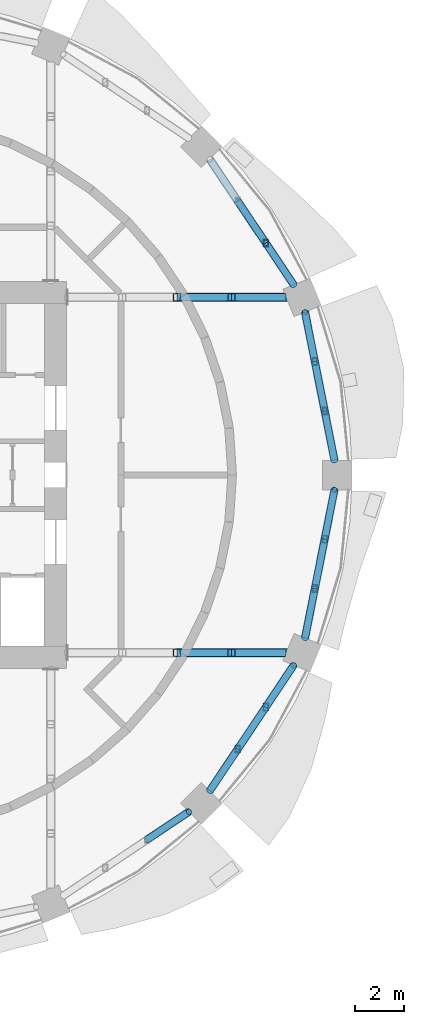
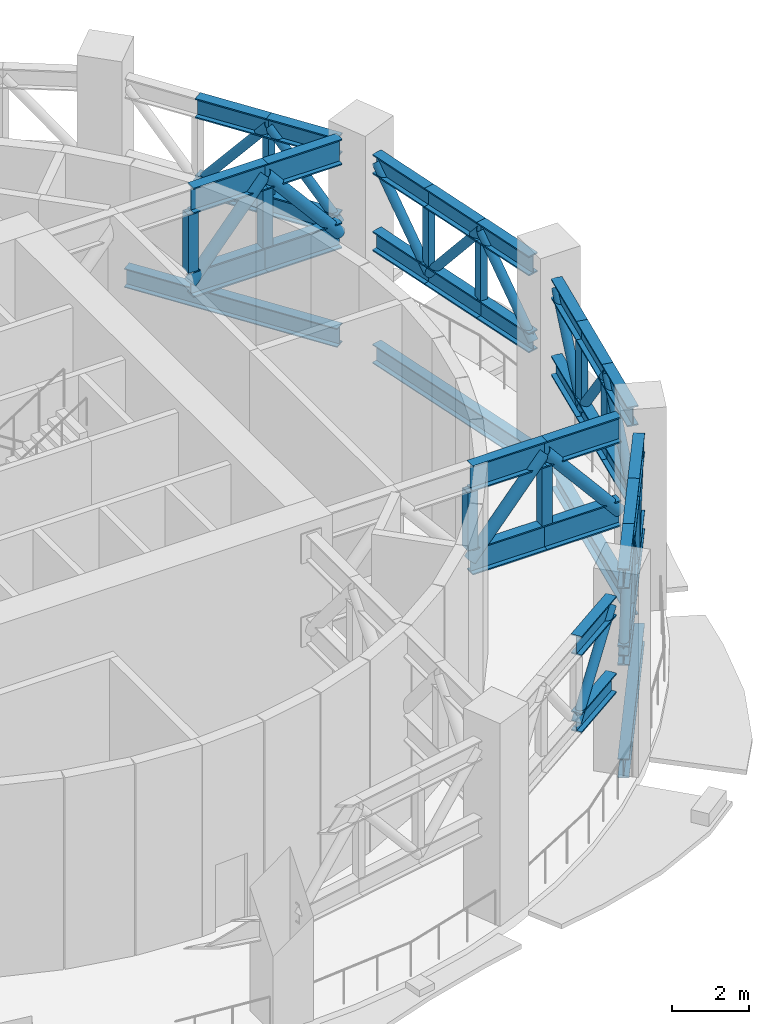
# One storey, part 4 of 14: 59 members, 4 beams.
"""IFC4 building model written with IfcOpenShell, lengths in metres."""

import ifcopenshell
import ifcopenshell.guid

model = None  # the IFC model being written
_history = None  # IfcOwnerHistory: only IFC2X3 demands one
_inside = {}  # id of a spatial element -> (the spatial element, [elements in it])
_under = {}  # id of a project, library or spatial element -> (it, [spatial elements below it])
_declared = {}  # id of a project -> (the project, [libraries it declares])
_typed = {}  # id of a type object -> (the type object, [elements of that type])
_made_of = {}  # id of a material, layer set ... -> (it, [elements and type objects made of it])


def new_model(schema):
    """Start an empty IFC model of exactly this schema.

    Asked for "IFC4X3", IfcOpenShell would pick the latest addendum, in which some entities
    have other attributes; the version numbers below select the first issue.
    IFC2X3 requires an IfcOwnerHistory on every rooted entity: one is made here for all.
    """
    global model, _history
    if schema == "IFC4X3":
        model = ifcopenshell.file(schema_version=(4, 3, 0, 0))
    else:
        model = ifcopenshell.file(schema=schema)
    _inside.clear()
    _under.clear()
    _declared.clear()
    _typed.clear()
    _made_of.clear()
    _history = None
    if model.schema == "IFC2X3":
        org = make("IfcOrganization", Name="unknown")
        user = make(
            "IfcPersonAndOrganization",
            ThePerson=make("IfcPerson", FamilyName="unknown"),
            TheOrganization=org,
        )
        app = make(
            "IfcApplication",
            ApplicationDeveloper=org,
            Version="unknown",
            ApplicationFullName="unknown",
            ApplicationIdentifier="unknown",
        )
        _history = make(
            "IfcOwnerHistory",
            OwningUser=user,
            OwningApplication=app,
            ChangeAction="ADDED",
            CreationDate=0,
        )
    return model


def make(cls, **values):
    """One entity of the class cls with the attributes given. An attribute that is None is left unset."""
    return model.create_entity(
        cls, **{name: value for name, value in values.items() if value is not None}
    )


def rooted(cls, **values):
    """An entity with a GlobalId (a new one), such as an element, a storey or a relation."""
    return make(cls, GlobalId=ifcopenshell.guid.new(), OwnerHistory=_history, **values)


def si_unit(unit_type, name, prefix=None):
    """IfcSIUnit, for example si_unit("LENGTHUNIT", "METRE", prefix="MILLI")."""
    return make("IfcSIUnit", UnitType=unit_type, Prefix=prefix, Name=name)


def assignment(units):
    """IfcUnitAssignment: the units of a project."""
    return None if units is None else make("IfcUnitAssignment", Units=units)


def point(xyz):
    """IfcCartesianPoint."""
    return None if xyz is None else make("IfcCartesianPoint", Coordinates=xyz)


def direction(xyz):
    """IfcDirection."""
    return None if xyz is None else make("IfcDirection", DirectionRatios=xyz)


def frame(location, z_axis=None, x_axis=None):
    """IfcAxis2Placement3D, a coordinate frame: its origin and axes. An axis left out is left unset."""
    return make(
        "IfcAxis2Placement3D",
        Location=point(location),
        Axis=direction(z_axis),
        RefDirection=direction(x_axis),
    )


def frame_2d(location, x_axis=None):
    """IfcAxis2Placement2D, a coordinate frame in the plane: its origin and x axis."""
    return make(
        "IfcAxis2Placement2D", Location=point(location), RefDirection=direction(x_axis)
    )


def origin():
    """The frame at (0, 0, 0) with its axes left unset."""
    return frame((0.0, 0.0, 0.0))


def origin_2d():
    """The frame at (0, 0) in the plane with its x axis left unset."""
    return frame_2d((0.0, 0.0))


def place(relative_to, where):
    """IfcLocalPlacement: puts the frame where relative to a parent placement (None: the world)."""
    return make(
        "IfcLocalPlacement", PlacementRelTo=relative_to, RelativePlacement=where
    )


def context(
    kind, dimensions, precision=None, world=None, true_north=None, identifier=None
):
    """IfcGeometricRepresentationContext, for example the 3D "Model" context."""
    return make(
        "IfcGeometricRepresentationContext",
        ContextIdentifier=identifier,
        ContextType=kind,
        CoordinateSpaceDimension=dimensions,
        Precision=precision,
        WorldCoordinateSystem=world,
        TrueNorth=true_north,
    )


def subcontext(parent, identifier, kind, view, scale=None):
    """IfcGeometricRepresentationSubContext, for example "Body" below "Model"."""
    return make(
        "IfcGeometricRepresentationSubContext",
        ContextIdentifier=identifier,
        ContextType=kind,
        ParentContext=parent,
        TargetScale=scale,
        TargetView=view,
    )


def project(units=None, contexts=None):
    """IfcProject with its units and contexts."""
    return rooted(
        "IfcProject",
        Name="project",
        RepresentationContexts=contexts,
        UnitsInContext=assignment(units),
    )


def spatial(cls, under=None, at=None, **own):
    """A site, building, storey or space (cls), placed at a placement, below another one or the project."""
    s = rooted(cls, ObjectPlacement=at, **own)
    if under is not None:
        _under.setdefault(under.id(), (under, []))[1].append(s)
    return s


def profile(cls, at=None, kind="AREA", **sizes):
    """A parametric profile (cls). Its sizes go by their IFC names, for example OverallWidth=200.0."""
    return make(cls, ProfileType=kind, Position=at, **sizes)


def hollow_rectangle(**sizes):
    """IfcRectangleHollowProfileDef."""
    return profile("IfcRectangleHollowProfileDef", **sizes)


def hollow_circle(**sizes):
    """IfcCircleHollowProfileDef."""
    return profile("IfcCircleHollowProfileDef", **sizes)


def i_section(**sizes):
    """IfcIShapeProfileDef."""
    return profile("IfcIShapeProfileDef", **sizes)


def extrude(swept, where, along, depth):
    """IfcExtrudedAreaSolid: the profile swept, set in the frame where, extruded along a direction by depth."""
    return make(
        "IfcExtrudedAreaSolid",
        SweptArea=swept,
        Position=where,
        ExtrudedDirection=direction(along),
        Depth=depth,
    )


def shape(context_of_items, identifier, shape_type, items):
    """IfcShapeRepresentation: the items that make up one representation, for example the "Body"."""
    return make(
        "IfcShapeRepresentation",
        ContextOfItems=context_of_items,
        RepresentationIdentifier=identifier,
        RepresentationType=shape_type,
        Items=items,
    )


def material(Name=None, Category=None):
    """IfcMaterial."""
    return make("IfcMaterial", Name=Name, Category=Category)


def material_profile(
    of_material, cross_section, Name=None, Category=None, Priority=None
):
    """IfcMaterialProfile: a cross section and its material."""
    return make(
        "IfcMaterialProfile",
        Name=Name,
        Material=of_material,
        Profile=cross_section,
        Priority=Priority,
        Category=Category,
    )


def profile_set(profiles, Name=None, composite=None):
    """IfcMaterialProfileSet."""
    return make(
        "IfcMaterialProfileSet",
        Name=Name,
        MaterialProfiles=profiles,
        CompositeProfile=composite,
    )


def made_of(thing, what):
    """Note that an element or type object is made of a material, layer set ...; save() writes the relation."""
    if what is not None:
        _made_of.setdefault(what.id(), (what, []))[1].append(thing)
    return thing


def type_object(cls, material=None, **own):
    """A type object (cls), such as IfcWallType, which elements share."""
    return made_of(rooted(cls, **own), material)


def element(
    cls,
    number,
    at=None,
    inside=None,
    cuts=None,
    type_object=None,
    material=None,
    context=None,
    identifier="Body",
    shape_type=None,
    held_by="IfcProductDefinitionShape",
    body=None,
    shapes=None,
    **own,
):
    """One element of the class cls, such as IfcWall. Its Tag is "e" and its number.

    at: its placement. inside: the storey or other place that contains it. cuts: it is an
    opening in that element (IfcRelVoidsElement). A single representation is given by context,
    identifier, shape_type and body (its items); several are given by shapes. held_by: the class
    of the entity that holds the representations. save() writes the other relations.
    """
    e = rooted(cls, Tag="e%d" % number, ObjectPlacement=at, **own)
    if body is not None:
        shapes = [shape(context, identifier, shape_type, body)]
    if shapes is not None:
        e.Representation = make(held_by, Representations=shapes)
    if inside is not None:
        _inside.setdefault(inside.id(), (inside, []))[1].append(e)
    if cuts is not None:
        rooted(
            "IfcRelVoidsElement", RelatingBuildingElement=cuts, RelatedOpeningElement=e
        )
    if type_object is not None:
        _typed.setdefault(type_object.id(), (type_object, []))[1].append(e)
    return made_of(e, material)


def aggregate(whole, parts):
    """IfcRelAggregates: a whole, such as a stair, and the parts it consists of."""
    return rooted("IfcRelAggregates", RelatingObject=whole, RelatedObjects=parts)


def save(model, path):
    """Write the relations noted so far, then the file.

    IfcRelAggregates (storeys below a building ...), IfcRelContainedInSpatialStructure (elements
    in a storey), IfcRelDefinesByType, IfcRelAssociatesMaterial and IfcRelDeclares: one each for
    every whole, place, type object, material and project.
    """
    for whole, parts in _under.values():
        aggregate(whole, parts)
    for where, things in _inside.values():
        rooted(
            "IfcRelContainedInSpatialStructure",
            RelatedElements=things,
            RelatingStructure=where,
        )
    for kind, things in _typed.values():
        rooted("IfcRelDefinesByType", RelatedObjects=things, RelatingType=kind)
    for what, things in _made_of.values():
        rooted("IfcRelAssociatesMaterial", RelatedObjects=things, RelatingMaterial=what)
    for by, libraries in _declared.values():
        rooted("IfcRelDeclares", RelatingContext=by, RelatedDefinitions=libraries)
    model.write(path)


model = new_model("IFC4")

# Units and contexts
model_context = context("Model", 3, precision=1e-05, world=origin(), true_north=direction((0.0, 1.0)))
body_context = subcontext(model_context, "Body", "Model", "MODEL_VIEW")
ifc_project = project(units=[si_unit("LENGTHUNIT", "METRE"), si_unit("AREAUNIT", "SQUARE_METRE"), si_unit("VOLUMEUNIT", "CUBIC_METRE"), si_unit("PLANEANGLEUNIT", "RADIAN"), si_unit("MASSUNIT", "GRAM", prefix="KILO")], contexts=[model_context])

# Site, building, storey
site_placement = place(None, origin())
site = spatial("IfcSite", under=ifc_project, at=site_placement, CompositionType="ELEMENT")
building_placement = place(site_placement, origin())
building = spatial("IfcBuilding", under=site, at=building_placement, Name="Polderwave Tower", CompositionType="ELEMENT")
storey_placement = place(building_placement, frame((0.0, 0.0, 66.35009765625)))
storey = spatial("IfcBuildingStorey", under=building, at=storey_placement, Name="L17", CompositionType="ELEMENT", Elevation=66.35009765625)

# Members
ifc_material_1 = material(Name="Steel S460", Category="steel")
ifc_material_profile_1 = material_profile(ifc_material_1, i_section(OverallWidth=0.304931640625, OverallDepth=0.6201171875, WebThickness=0.02099609375, FlangeThickness=0.0400390625, at=origin_2d()), Name="HE 600 M")
ifc_profile_set_1 = profile_set([ifc_material_profile_1], Name="Steel S460")
member_type_1 = type_object("IfcMemberType", Name="BELT CHORD HE 600 M", PredefinedType="CHORD", material=ifc_profile_set_1)
for number, where, z_axis, x_axis, name in (
    (1, (18.7607421875, 0.60009765625, 5.33984375), (-0.195175979329, 0.980768238216, 0.0), (-0.980768238216, -0.195175979329, 0.0), "ST-BT-L17-00-TC1"),
    (2, (18.7607421875, 0.60009765625, 2.909912109375), (-0.195175979329, 0.980768238216, 0.0), (-0.980768238216, -0.195175979329, 0.0), "ST-BT-L17-00-BC1"),
    (3, (18.361083984375, 2.6083984375, 5.33984375), (-0.195061289308, 0.980791054921, 0.0), (-0.980791054921, -0.195061289308, 0.0), "ST-BT-L17-00-TC2"),
    (4, (18.361083984375, 2.6083984375, 2.909912109375), (-0.195061289308, 0.980791054921, 0.0), (-0.980791054921, -0.195061289308, 0.0), "ST-BT-L17-00-BC2"),
    (5, (17.961669921875, 4.61669921875, 5.33984375), (-0.195061289308, 0.980791054921, 0.0), (-0.980791054921, -0.195061289308, 0.0), "ST-BT-L17-00-TC3"),
    (6, (17.961669921875, 4.61669921875, 2.909912109375), (-0.195061289308, 0.980791054921, 0.0), (-0.980791054921, -0.195061289308, 0.0), "ST-BT-L17-00-BC3"),
):
    element("IfcMember", number, at=place(storey_placement, frame(where, z_axis=z_axis, x_axis=x_axis)), inside=storey, type_object=member_type_1, Name=name, PredefinedType="CHORD", context=body_context, shape_type="SweptSolid", body=[
        extrude(i_section(OverallWidth=0.304931640625, OverallDepth=0.6201171875, WebThickness=0.02099609375, FlangeThickness=0.0400390625, at=origin_2d()), origin(), (0.0, 0.0, 1.0), 2.047607421875),
    ])
for number, where, z_axis, x_axis, name in (
    (7, (17.10302734375, 7.733642578125, 5.33984375), (-0.555580303473, 0.831462883352, 0.0), (-0.831462883352, -0.555580303473, 0.0), "ST-BT-L17-01-TC1"),
    (8, (17.10302734375, 7.733642578125, 2.909912109375), (-0.555580303473, 0.831462883352, 0.0), (-0.831462883352, -0.555580303473, 0.0), "ST-BT-L17-01-BC1"),
    (9, (15.96533203125, 9.436279296875, 5.33984375), (-0.555580303473, 0.831462883352, 0.0), (-0.831462883352, -0.555580303473, 0.0), "ST-BT-L17-01-TC2"),
    (10, (15.96533203125, 9.436279296875, 2.909912109375), (-0.555580303473, 0.831462883352, 0.0), (-0.831462883352, -0.555580303473, 0.0), "ST-BT-L17-01-BC2"),
    (11, (11.138916015625, -14.82763671875, 5.33984375), (0.831462883352, 0.555580303473, 0.0), (-0.555580303473, 0.831462883352, 0.0), "ST-BT-L17-13-TC3"),
    (12, (11.138916015625, -14.82763671875, 2.909912109375), (0.831462883352, 0.555580303473, 0.0), (-0.555580303473, 0.831462883352, 0.0), "ST-BT-L17-13-BC3"),
    (13, (13.68994140625, -12.841552734375, 5.33984375), (0.555580303473, 0.831462883352, 0.0), (-0.831462883352, 0.555580303473, 0.0), "ST-BT-L17-14-TC1"),
    (14, (13.68994140625, -12.841552734375, 2.909912109375), (0.555580303473, 0.831462883352, 0.0), (-0.831462883352, 0.555580303473, 0.0), "ST-BT-L17-14-BC1"),
    (15, (14.82763671875, -11.138916015625, 5.33984375), (0.555580303473, 0.831462883352, 0.0), (-0.831462883352, 0.555580303473, 0.0), "ST-BT-L17-14-TC2"),
    (16, (14.82763671875, -11.138916015625, 2.909912109375), (0.555580303473, 0.831462883352, 0.0), (-0.831462883352, 0.555580303473, 0.0), "ST-BT-L17-14-BC2"),
    (17, (15.96533203125, -9.436279296875, 5.33984375), (0.555580303473, 0.831462883352, 0.0), (-0.831462883352, 0.555580303473, 0.0), "ST-BT-L17-14-TC3"),
    (18, (15.96533203125, -9.436279296875, 2.909912109375), (0.555580303473, 0.831462883352, 0.0), (-0.831462883352, 0.555580303473, 0.0), "ST-BT-L17-14-BC3"),
):
    element("IfcMember", number, at=place(storey_placement, frame(where, z_axis=z_axis, x_axis=x_axis)), inside=storey, type_object=member_type_1, Name=name, PredefinedType="CHORD", context=body_context, shape_type="SweptSolid", body=[
        extrude(i_section(OverallWidth=0.304931640625, OverallDepth=0.6201171875, WebThickness=0.02099609375, FlangeThickness=0.0400390625, at=origin_2d()), origin(), (0.0, 0.0, 1.0), 2.0478515625),
    ])
for number, where, z_axis, x_axis, name in (
    (19, (17.562255859375, -6.625, 5.33984375), (0.195061289308, 0.980791054921, 0.0), (-0.980791054921, 0.195061289308, 0.0), "ST-BT-L17-15-TC1"),
    (20, (17.562255859375, -6.625, 2.909912109375), (0.195061289308, 0.980791054921, 0.0), (-0.980791054921, 0.195061289308, 0.0), "ST-BT-L17-15-BC1"),
    (21, (17.961669921875, -4.61669921875, 5.33984375), (0.195061289308, 0.980791054921, 0.0), (-0.980791054921, 0.195061289308, 0.0), "ST-BT-L17-15-TC2"),
    (22, (17.961669921875, -4.61669921875, 2.909912109375), (0.195061289308, 0.980791054921, 0.0), (-0.980791054921, 0.195061289308, 0.0), "ST-BT-L17-15-BC2"),
    (23, (18.361083984375, -2.6083984375, 5.33984375), (0.195175979329, 0.980768238216, 0.0), (-0.980768238216, 0.195175979329, 0.0), "ST-BT-L17-15-TC3"),
    (24, (18.361083984375, -2.6083984375, 2.909912109375), (0.195175979329, 0.980768238216, 0.0), (-0.980768238216, 0.195175979329, 0.0), "ST-BT-L17-15-BC3"),
):
    element("IfcMember", number, at=place(storey_placement, frame(where, z_axis=z_axis, x_axis=x_axis)), inside=storey, type_object=member_type_1, Name=name, PredefinedType="CHORD", context=body_context, shape_type="SweptSolid", body=[
        extrude(i_section(OverallWidth=0.304931640625, OverallDepth=0.6201171875, WebThickness=0.02099609375, FlangeThickness=0.0400390625, at=origin_2d()), origin(), (0.0, 0.0, 1.0), 2.047607421875),
    ])
ifc_material_profile_2 = material_profile(ifc_material_1, hollow_circle(Radius=0.136474609375, WallThickness=0.012451171875, at=origin_2d()), Name="CHS 273x12.5")
ifc_profile_set_2 = profile_set([ifc_material_profile_2], Name="Steel S460")
member_type_2 = type_object("IfcMemberType", Name="BELT DIAGONAL CHS 273x12.5", PredefinedType="BRACE", material=ifc_profile_set_2)
for number, where, z_axis, x_axis, name in (
    (25, (18.7607421875, 0.60009765625, 2.909912109375), (-0.12577095852, 0.632004828826, 0.764690501009), (-0.980768238216, -0.195175979329, 0.0), "ST-BT-L17-00-D1"),
    (26, (18.361083984375, 2.6083984375, 5.33984375), (-0.125695342598, 0.632010934113, -0.764697888065), (-0.980791054921, -0.195061289308, 0.0), "ST-BT-L17-00-D2"),
    (27, (17.961669921875, 4.61669921875, 2.909912109375), (-0.125695342598, 0.632010934113, 0.764697888065), (-0.980791054921, -0.195061289308, 0.0), "ST-BT-L17-00-D3"),
    (28, (17.10302734375, 7.733642578125, 2.909912109375), (-0.358022768665, 0.535804890273, 0.764678243889), (-0.831462883352, -0.555580303473, 0.0), "ST-BT-L17-01-D1"),
    (29, (15.96533203125, 9.436279296875, 5.33984375), (-0.358022768665, 0.535804890273, -0.764678243889), (-0.831462883352, -0.555580303473, 0.0), "ST-BT-L17-01-D2"),
    (30, (11.138916015625, -14.82763671875, 2.909912109375), (0.535804890273, 0.358022768665, 0.764678243889), (-0.555580303473, 0.831462883352, 0.0), "ST-BT-L17-13-D3"),
    (31, (13.68994140625, -12.841552734375, 2.909912109375), (0.358022768665, 0.535804890273, 0.764678243889), (-0.831462883352, 0.555580303473, 0.0), "ST-BT-L17-14-D1"),
    (32, (14.82763671875, -11.138916015625, 5.33984375), (0.358022768665, 0.535804890273, -0.764678243889), (-0.831462883352, 0.555580303473, 0.0), "ST-BT-L17-14-D2"),
    (33, (15.96533203125, -9.436279296875, 2.909912109375), (0.358022768665, 0.535804890273, 0.764678243889), (-0.831462883352, 0.555580303473, 0.0), "ST-BT-L17-14-D3"),
    (34, (17.562255859375, -6.625, 2.909912109375), (0.125695342598, 0.632010934113, 0.764697888065), (-0.980791054921, 0.195061289308, 0.0), "ST-BT-L17-15-D1"),
    (35, (17.961669921875, -4.61669921875, 5.33984375), (0.125695342598, 0.632010934113, -0.764697888065), (-0.980791054921, 0.195061289308, 0.0), "ST-BT-L17-15-D2"),
    (36, (18.361083984375, -2.6083984375, 2.909912109375), (0.12577095852, 0.632004828826, 0.764690501009), (-0.980768238216, 0.195175979329, 0.0), "ST-BT-L17-15-D3"),
):
    element("IfcMember", number, at=place(storey_placement, frame(where, z_axis=z_axis, x_axis=x_axis)), inside=storey, type_object=member_type_2, Name=name, PredefinedType="BRACE", context=body_context, shape_type="SweptSolid", body=[
        extrude(hollow_circle(Radius=0.136474609375, WallThickness=0.012451171875, at=origin_2d()), origin(), (0.0, 0.0, 1.0), 3.177734375),
    ])
ifc_material_profile_3 = material_profile(ifc_material_1, hollow_rectangle(XDim=0.199951171875, YDim=0.300048828125, WallThickness=0.012451171875, at=origin_2d()), Name="RHS 300x200x12.5")
ifc_profile_set_3 = profile_set([ifc_material_profile_3], Name="Steel S460")
member_type_3 = type_object("IfcMemberType", Name="BELT POST RHS 300x200x12.5", PredefinedType="POST", material=ifc_profile_set_3)
for number, where, z_axis, x_axis, name in (
    (37, (18.361083984375, 2.6083984375, 3.219970703125), (0.0, 0.0, 1.0), (1.0, 0.0, 0.0), "ST-BT-L17-00-P1"),
    (38, (17.961669921875, 4.61669921875, 3.219970703125), (0.0, 0.0, 1.0), (1.0, 0.0, 0.0), "ST-BT-L17-00-P2"),
    (39, (15.96533203125, 9.436279296875, 3.219970703125), (0.0, 0.0, 1.0), (1.0, 0.0, 0.0), "ST-BT-L17-01-P1"),
    (40, (14.82763671875, -11.138916015625, 3.219970703125), (0.0, 0.0, 1.0), (1.0, 0.0, 0.0), "ST-BT-L17-14-P1"),
    (41, (15.96533203125, -9.436279296875, 3.219970703125), (0.0, 0.0, 1.0), (1.0, 0.0, 0.0), "ST-BT-L17-14-P2"),
    (42, (17.961669921875, -4.61669921875, 3.219970703125), (0.0, 0.0, 1.0), (1.0, 0.0, 0.0), "ST-BT-L17-15-P1"),
    (43, (18.361083984375, -2.6083984375, 3.219970703125), (0.0, 0.0, 1.0), (1.0, 0.0, 0.0), "ST-BT-L17-15-P2"),
):
    element("IfcMember", number, at=place(storey_placement, frame(where, z_axis=z_axis, x_axis=x_axis)), inside=storey, type_object=member_type_3, Name=name, PredefinedType="POST", context=body_context, shape_type="SweptSolid", body=[
        extrude(hollow_rectangle(XDim=0.199951171875, YDim=0.300048828125, WallThickness=0.012451171875, at=origin_2d()), origin(), (0.0, 0.0, 1.0), 1.809814453125),
    ])
ifc_material_profile_4 = material_profile(ifc_material_1, i_section(OverallWidth=0.302978515625, OverallDepth=0.81396484375, WebThickness=0.02099609375, FlangeThickness=0.0400390625, at=origin_2d()), Name="HE 800 M")
ifc_profile_set_4 = profile_set([ifc_material_profile_4], Name="Steel S460")
member_type_4 = type_object("IfcMemberType", Name="OUTRIGGER CHORD HE 800 M", PredefinedType="CHORD", material=ifc_profile_set_4)
for number, where, z_axis, x_axis, name in (
    (44, (12.353759765625, 7.22509765625, 5.642822265625), (1.0, 0.0, 0.0), (0.0, 1.0, 0.0), "ST-OR-L17-01-TC3"),
    (45, (12.353759765625, 7.22509765625, 3.0068359375), (1.0, 0.0, 0.0), (0.0, 1.0, 0.0), "ST-OR-L17-01-BC3"),
):
    element("IfcMember", number, at=place(storey_placement, frame(where, z_axis=z_axis, x_axis=x_axis)), inside=storey, type_object=member_type_4, Name=name, PredefinedType="CHORD", context=body_context, shape_type="SweptSolid", body=[
        extrude(i_section(OverallWidth=0.302978515625, OverallDepth=0.81396484375, WebThickness=0.02099609375, FlangeThickness=0.0400390625, at=origin_2d()), origin(), (0.0, 0.0, 1.0), 2.2197265625),
    ])
for number, where, z_axis, x_axis, name in (
    (46, (14.573486328125, 7.22509765625, 5.642822265625), (1.0, 0.0, 0.0), (0.0, 1.0, 0.0), "ST-OR-L17-01-TC4"),
    (47, (14.573486328125, 7.22509765625, 3.0068359375), (1.0, 0.0, 0.0), (0.0, 1.0, 0.0), "ST-OR-L17-01-BC4"),
):
    element("IfcMember", number, at=place(storey_placement, frame(where, z_axis=z_axis, x_axis=x_axis)), inside=storey, type_object=member_type_4, Name=name, PredefinedType="CHORD", context=body_context, shape_type="SweptSolid", body=[
        extrude(i_section(OverallWidth=0.302978515625, OverallDepth=0.81396484375, WebThickness=0.02099609375, FlangeThickness=0.0400390625, at=origin_2d()), origin(), (0.0, 0.0, 1.0), 2.219970703125),
    ])
for number, where, z_axis, x_axis, name in (
    (48, (12.353759765625, -7.22509765625, 5.642822265625), (1.0, 0.0, 0.0), (0.0, 1.0, 0.0), "ST-OR-L17-15-TC3"),
    (49, (12.353759765625, -7.22509765625, 3.0068359375), (1.0, 0.0, 0.0), (0.0, 1.0, 0.0), "ST-OR-L17-15-BC3"),
):
    element("IfcMember", number, at=place(storey_placement, frame(where, z_axis=z_axis, x_axis=x_axis)), inside=storey, type_object=member_type_4, Name=name, PredefinedType="CHORD", context=body_context, shape_type="SweptSolid", body=[
        extrude(i_section(OverallWidth=0.302978515625, OverallDepth=0.81396484375, WebThickness=0.02099609375, FlangeThickness=0.0400390625, at=origin_2d()), origin(), (0.0, 0.0, 1.0), 2.2197265625),
    ])
for number, where, z_axis, x_axis, name in (
    (50, (14.573486328125, -7.22509765625, 5.642822265625), (1.0, 0.0, 0.0), (0.0, 1.0, 0.0), "ST-OR-L17-15-TC4"),
    (51, (14.573486328125, -7.22509765625, 3.0068359375), (1.0, 0.0, 0.0), (0.0, 1.0, 0.0), "ST-OR-L17-15-BC4"),
):
    element("IfcMember", number, at=place(storey_placement, frame(where, z_axis=z_axis, x_axis=x_axis)), inside=storey, type_object=member_type_4, Name=name, PredefinedType="CHORD", context=body_context, shape_type="SweptSolid", body=[
        extrude(i_section(OverallWidth=0.302978515625, OverallDepth=0.81396484375, WebThickness=0.02099609375, FlangeThickness=0.0400390625, at=origin_2d()), origin(), (0.0, 0.0, 1.0), 2.219970703125),
    ])
ifc_material_profile_5 = material_profile(ifc_material_1, hollow_circle(Radius=0.177734375, WallThickness=0.012451171875, at=origin_2d()), Name="CHS 355.6x12.5")
ifc_profile_set_5 = profile_set([ifc_material_profile_5], Name="Steel S460")
member_type_5 = type_object("IfcMemberType", Name="OUTRIGGER DIAGONAL CHS 355.6x12.5", PredefinedType="BRACE", material=ifc_profile_set_5)
member_1_placement = place(storey_placement, frame((12.353759765625, 7.22509765625, 3.0068359375), z_axis=(0.644127019232, 0.0, 0.764918546706), x_axis=(0.0, 1.0, 0.0)))
element("IfcMember", 52, at=member_1_placement, inside=storey, type_object=member_type_5, Name="ST-OR-L17-01-D3", PredefinedType="BRACE", context=body_context, shape_type="SweptSolid", body=[
    extrude(hollow_circle(Radius=0.177734375, WallThickness=0.012451171875, at=origin_2d()), origin(), (0.0, 0.0, 1.0), 3.446044921875),
])
member_2_placement = place(storey_placement, frame((14.573486328125, 7.22509765625, 5.642822265625), z_axis=(0.644168468107, 0.0, -0.764883641279), x_axis=(0.0, 1.0, 0.0)))
element("IfcMember", 53, at=member_2_placement, inside=storey, type_object=member_type_5, Name="ST-OR-L17-01-D4", PredefinedType="BRACE", context=body_context, shape_type="SweptSolid", body=[
    extrude(hollow_circle(Radius=0.177734375, WallThickness=0.012451171875, at=origin_2d()), origin(), (0.0, 0.0, 1.0), 3.4462890625),
])
member_3_placement = place(storey_placement, frame((12.353759765625, -7.22509765625, 3.0068359375), z_axis=(0.644127019232, 0.0, 0.764918546706), x_axis=(0.0, 1.0, 0.0)))
element("IfcMember", 54, at=member_3_placement, inside=storey, type_object=member_type_5, Name="ST-OR-L17-15-D3", PredefinedType="BRACE", context=body_context, shape_type="SweptSolid", body=[
    extrude(hollow_circle(Radius=0.177734375, WallThickness=0.012451171875, at=origin_2d()), origin(), (0.0, 0.0, 1.0), 3.446044921875),
])
member_4_placement = place(storey_placement, frame((14.573486328125, -7.22509765625, 5.642822265625), z_axis=(0.644168468107, 0.0, -0.764883641279), x_axis=(0.0, 1.0, 0.0)))
element("IfcMember", 55, at=member_4_placement, inside=storey, type_object=member_type_5, Name="ST-OR-L17-15-D4", PredefinedType="BRACE", context=body_context, shape_type="SweptSolid", body=[
    extrude(hollow_circle(Radius=0.177734375, WallThickness=0.012451171875, at=origin_2d()), origin(), (0.0, 0.0, 1.0), 3.4462890625),
])
ifc_material_profile_6 = material_profile(ifc_material_1, hollow_rectangle(XDim=0.300048828125, YDim=0.300048828125, WallThickness=0.012451171875, at=origin_2d()), Name="SHS 300x300x12.5")
ifc_profile_set_6 = profile_set([ifc_material_profile_6], Name="Steel S460")
member_type_6 = type_object("IfcMemberType", Name="OUTRIGGER POST SHS 300x300x12.5", PredefinedType="POST", material=ifc_profile_set_6)
for number, where, z_axis, x_axis, name in (
    (56, (12.353759765625, 7.22509765625, 3.413818359375), (0.0, 0.0, 1.0), (1.0, 0.0, 0.0), "ST-OR-L17-01-P2"),
    (57, (14.573486328125, 7.22509765625, 3.413818359375), (0.0, 0.0, 1.0), (1.0, 0.0, 0.0), "ST-OR-L17-01-P3"),
    (58, (12.353759765625, -7.22509765625, 3.413818359375), (0.0, 0.0, 1.0), (1.0, 0.0, 0.0), "ST-OR-L17-15-P2"),
    (59, (14.573486328125, -7.22509765625, 3.413818359375), (0.0, 0.0, 1.0), (1.0, 0.0, 0.0), "ST-OR-L17-15-P3"),
):
    element("IfcMember", number, at=place(storey_placement, frame(where, z_axis=z_axis, x_axis=x_axis)), inside=storey, type_object=member_type_6, Name=name, PredefinedType="POST", context=body_context, shape_type="SweptSolid", body=[
        extrude(hollow_rectangle(XDim=0.300048828125, YDim=0.300048828125, WallThickness=0.012451171875, at=origin_2d()), origin(), (0.0, 0.0, 1.0), 1.822021484375),
    ])

# Beams
ifc_material_2 = material(Name="Steel S355", Category="steel")
ifc_material_profile_7 = material_profile(ifc_material_2, i_section(OverallWidth=0.300048828125, OverallDepth=0.60009765625, WebThickness=0.015380859375, FlangeThickness=0.030029296875, at=origin_2d()), Name="HE 600 B")
ifc_profile_set_7 = profile_set([ifc_material_profile_7], Name="Steel S355")
beam_type = type_object("IfcBeamType", Name="RING BEAM HE 600 B", PredefinedType="BEAM", material=ifc_profile_set_7)
beam_1_placement = place(storey_placement, frame((18.7607421875, 0.60009765625, -0.650146484375), z_axis=(-0.195099520205, 0.980783450725, 0.0), x_axis=(-0.980783450725, -0.195099520205, 0.0)))
element("IfcBeam", 60, at=beam_1_placement, inside=storey, type_object=beam_type, Name="ST-RB-L17-00", PredefinedType="BEAM", context=body_context, shape_type="SweptSolid", body=[
    extrude(i_section(OverallWidth=0.300048828125, OverallDepth=0.60009765625, WebThickness=0.015380859375, FlangeThickness=0.030029296875, at=origin_2d()), origin(), (0.0, 0.0, 1.0), 6.14306640625),
])
for number, where, z_axis, x_axis, name in (
    (61, (17.10302734375, 7.733642578125, -0.650146484375), (-0.555580303473, 0.831462883352, 0.0), (-0.831462883352, -0.555580303473, 0.0), "ST-RB-L17-01"),
    (62, (13.68994140625, -12.841552734375, -0.650146484375), (0.555580303473, 0.831462883352, 0.0), (-0.831462883352, 0.555580303473, 0.0), "ST-RB-L17-14"),
):
    element("IfcBeam", number, at=place(storey_placement, frame(where, z_axis=z_axis, x_axis=x_axis)), inside=storey, type_object=beam_type, Name=name, PredefinedType="BEAM", context=body_context, shape_type="SweptSolid", body=[
        extrude(i_section(OverallWidth=0.300048828125, OverallDepth=0.60009765625, WebThickness=0.015380859375, FlangeThickness=0.030029296875, at=origin_2d()), origin(), (0.0, 0.0, 1.0), 6.143310546875),
    ])
beam_2_placement = place(storey_placement, frame((17.562255859375, -6.625, -0.650146484375), z_axis=(0.195099520205, 0.980783450725, 0.0), x_axis=(-0.980783450725, 0.195099520205, 0.0)))
element("IfcBeam", 63, at=beam_2_placement, inside=storey, type_object=beam_type, Name="ST-RB-L17-15", PredefinedType="BEAM", context=body_context, shape_type="SweptSolid", body=[
    extrude(i_section(OverallWidth=0.300048828125, OverallDepth=0.60009765625, WebThickness=0.015380859375, FlangeThickness=0.030029296875, at=origin_2d()), origin(), (0.0, 0.0, 1.0), 6.14306640625),
])

save(model, "model.ifc")
